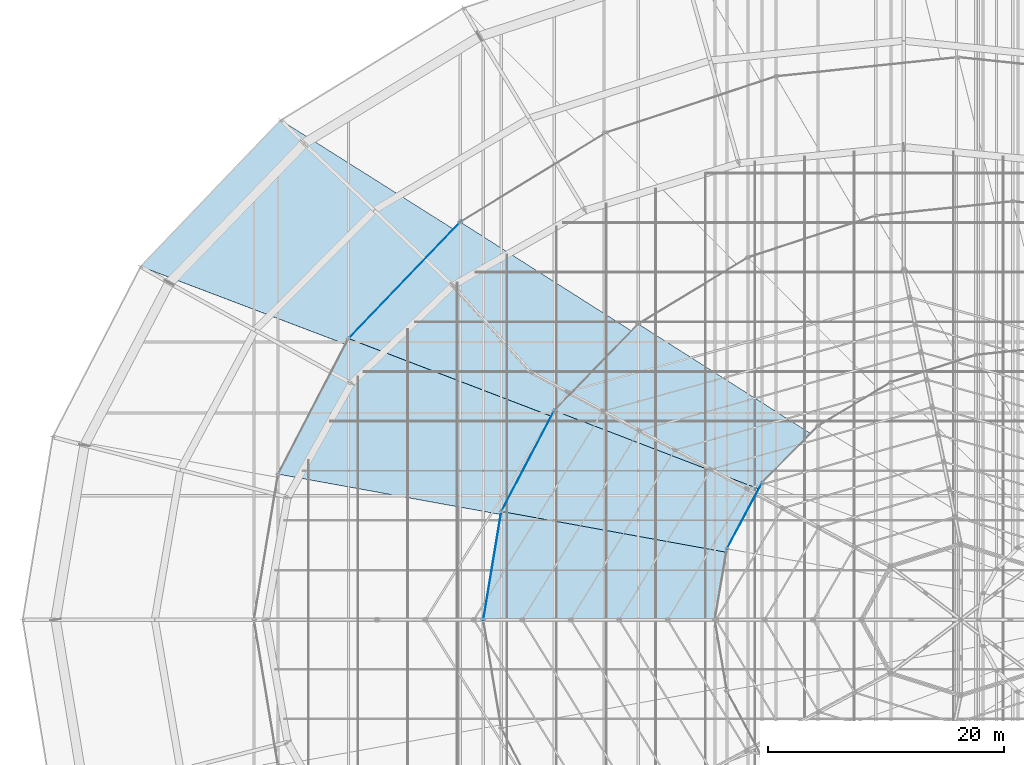
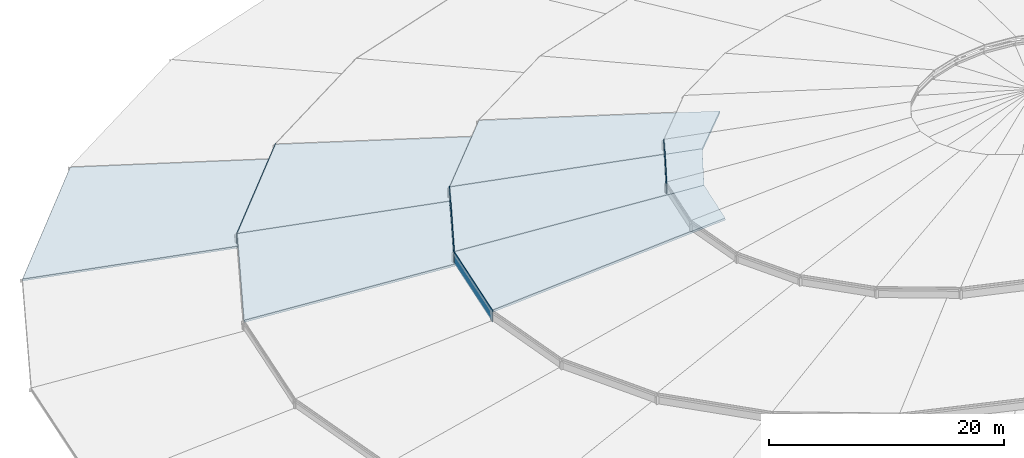
# One storey, part 147 of 184: 6 slabs, 4 plates.
"""IFC4 building model written with IfcOpenShell, lengths in metres."""

from ifc_helpers import new_model, si_unit, direction, frame, origin, origin_2d, place, context, subcontext, project, spatial, polyline, rectangle, outline, extrude, material, layer, layer_set, type_object, element, save


model = new_model("IFC4")

# Units and contexts
model_context = context("Model", 3, precision=1e-05, world=origin(), true_north=direction((0.0, 1.0)))
body_context = subcontext(model_context, "Body", "Model", "MODEL_VIEW")
ifc_project = project(units=[si_unit("LENGTHUNIT", "METRE"), si_unit("AREAUNIT", "SQUARE_METRE"), si_unit("VOLUMEUNIT", "CUBIC_METRE"), si_unit("PLANEANGLEUNIT", "RADIAN"), si_unit("MASSUNIT", "GRAM", prefix="KILO")], contexts=[model_context])

# Site, building, storey
site_placement = place(None, origin())
site = spatial("IfcSite", under=ifc_project, at=site_placement, CompositionType="ELEMENT")
building_placement = place(site_placement, origin())
building = spatial("IfcBuilding", under=site, at=building_placement, Name="Kalgoora Escarpment Arena", CompositionType="ELEMENT")
storey_placement = place(building_placement, frame((0.0, 0.0, 27.60009765625)))
storey = spatial("IfcBuildingStorey", under=building, at=storey_placement, Name="Roof Level", CompositionType="ELEMENT", Elevation=27.60009765625)

# Plates
ifc_material_1 = material(Name="Low-E double-glazed petal clerestory glass", Category="glass")
ifc_layer_1 = layer(ifc_material_1, 0.035888671875)
ifc_layer_set_1 = layer_set([ifc_layer_1], Name="PLT-PETAL-CLERESTORY")
plate_type = type_object("IfcPlateType", Name="PLT-PETAL-CLERESTORY", PredefinedType="USERDEFINED", material=ifc_layer_set_1)
plate_1_placement = place(storey_placement, frame((50.12060546875, 92.729248046875, 0.260009765625), z_axis=(0.0, 0.0, 1.0), x_axis=(-0.692772764861, -0.721155944485, 0.0)))
element("IfcPlate", 1, at=plate_1_placement, inside=storey, type_object=plate_type, Name="Petal RP2 glazed clerestory collar panel S10", ObjectType="CLERESTORY PANEL", PredefinedType="USERDEFINED", context=body_context, shape_type="SweptSolid", body=[
    extrude(rectangle(XDim=13.8759765625, YDim=0.0400390625, at=origin_2d()), origin(), (0.0, 0.0, 1.0), 1.25),
])
plate_2_placement = place(storey_placement, frame((60.564208984375, 77.43115234375, 2.7099609375), z_axis=(0.0, 0.0, 1.0), x_axis=(-0.464223811138, -0.885717930931, 0.0)))
element("IfcPlate", 2, at=plate_2_placement, inside=storey, type_object=plate_type, Name="Petal RP3 glazed clerestory collar panel S11", ObjectType="CLERESTORY PANEL", PredefinedType="USERDEFINED", context=body_context, shape_type="SweptSolid", body=[
    extrude(rectangle(XDim=9.784423828125, YDim=0.0400390625, at=origin_2d()), origin(), (0.0, 0.0, 1.0), 1.25),
])
plate_3_placement = place(storey_placement, frame((57.563232421875, 68.5810546875, 2.7099609375), z_axis=(0.0, 0.0, 1.0), x_axis=(-0.164359008451, -0.986400586142, 0.0)))
element("IfcPlate", 3, at=plate_3_placement, inside=storey, type_object=plate_type, Name="Petal RP3 glazed clerestory collar panel S12", ObjectType="CLERESTORY PANEL", PredefinedType="USERDEFINED", context=body_context, shape_type="SweptSolid", body=[
    extrude(rectangle(XDim=9.427734375, YDim=0.0400390625, at=origin_2d()), origin(), (0.0, 0.0, 1.0), 1.25),
])
plate_4_placement = place(storey_placement, frame((78.90380859375, 72.80224609375, 5.159912109375), z_axis=(0.0, 0.0, 1.0), x_axis=(-0.469625659061, -0.882865641166, 0.0)))
element("IfcPlate", 4, at=plate_4_placement, inside=storey, type_object=plate_type, Name="Petal RP4 glazed clerestory collar panel S11", ObjectType="CLERESTORY PANEL", PredefinedType="USERDEFINED", context=body_context, shape_type="SweptSolid", body=[
    extrude(rectangle(XDim=6.43310546875, YDim=0.0400390625, at=origin_2d()), origin(), (0.0, 0.0, 1.0), 1.25),
])

# Slabs
ifc_material_2 = material(Name="White acoustic composite Concrete N40 (fc' 40 MPa)", Category="concrete")
ifc_layer_2 = layer(ifc_material_2, 0.179931640625)
ifc_layer_set_2 = layer_set([ifc_layer_2], Name="SLB-PETAL-RP1")
slab_type_1 = type_object("IfcSlabType", Name="SLB-PETAL-RP1", PredefinedType="ROOF", material=ifc_layer_set_2)
slab_1_placement = place(storey_placement, frame((39.64990234375, 106.284912109375, -0.840087890625), z_axis=(-0.056876435502, 0.054440649827, 0.996895825416), x_axis=(-0.691494667934, -0.722381564141, -2.838918e-06)))
element("IfcSlab", 5, at=slab_1_placement, inside=storey, type_object=slab_type_1, Name="Shifted white roof petal RP1 sector 10", PredefinedType="ROOF", context=body_context, shape_type="SweptSolid", body=[
    extrude(outline(polyline([(0.0, 0.0), (17.144696152876826, 0.0), (8.577318633992675, 20.292669779413234), (-4.123288298679136, 20.322602724654512), (0.0, 0.0)])), origin(), (0.0, 0.0, -1.0), 0.179931640625),
])
ifc_material_3 = material(Name="White acoustic composite Concrete N40 (fc' 40 MPa)", Category="concrete")
ifc_layer_3 = layer(ifc_material_3, 0.205078125)
ifc_layer_set_3 = layer_set([ifc_layer_3], Name="SLB-PETAL-RP2")
slab_type_2 = type_object("IfcSlabType", Name="SLB-PETAL-RP2", PredefinedType="ROOF", material=ifc_layer_set_3)
slab_2_placement = place(storey_placement, frame((54.8564453125, 97.658203125, 1.449951171875), z_axis=(-0.057074003172, 0.054846949306, 0.996862262458), x_axis=(-0.692821848259, -0.721108789644, 8.527622e-06)))
element("IfcSlab", 6, at=slab_2_placement, inside=storey, type_object=slab_type_2, Name="Shifted white roof petal RP2 sector 10", PredefinedType="ROOF", context=body_context, shape_type="SweptSolid", body=[
    extrude(outline(polyline([(0.0, 0.0), (13.670819194398184, 8.881784197001252e-16), (5.186544685357129, 20.15230750954456), (-4.062581785736611, 20.2133785716314), (0.0, 0.0)])), origin(), (0.0, 0.0, -1.0), 0.205078125),
])
slab_3_placement = place(storey_placement, frame((45.385009765625, 87.800048828125, 1.449951171875), z_axis=(-0.065363850562, 0.033904579462, 0.997285338572), x_axis=(-0.460402271087, -0.8877103969, 3.792741e-06)))
element("IfcSlab", 7, at=slab_3_placement, inside=storey, type_object=slab_type_2, Name="Shifted white roof petal RP2 sector 11", PredefinedType="ROOF", context=body_context, shape_type="SweptSolid", body=[
    extrude(outline(polyline([(0.0, 0.0), (12.93239662614186, -8.881784197001252e-16), (6.26693701946398, 21.680387028338004), (-2.4516724398937995, 21.727920633058062), (0.0, 0.0)])), origin(), (0.0, 0.0, -1.0), 0.205078125),
])
ifc_material_4 = material(Name="White acoustic composite Concrete N40 (fc' 40 MPa)", Category="concrete")
ifc_layer_4 = layer(ifc_material_4, 0.215087890625)
ifc_layer_set_4 = layer_set([ifc_layer_4], Name="SLB-PETAL-RP3")
slab_type_3 = type_object("IfcSlabType", Name="SLB-PETAL-RP3", PredefinedType="ROOF", material=ifc_layer_set_4)
slab_4_placement = place(storey_placement, frame((69.921630859375, 89.031494140625, 3.89990234375), z_axis=(-0.056852481233, 0.055198938086, 0.996855492342), x_axis=(-0.696662347288, -0.717399173276, -7.333537e-06)))
element("IfcSlab", 8, at=slab_4_placement, inside=storey, type_object=slab_type_3, Name="Shifted white roof petal RP3 sector 10", PredefinedType="ROOF", context=body_context, shape_type="SweptSolid", body=[
    extrude(outline(polyline([(0.0, 0.0), (10.219620250267901, 1.7763568394002505e-15), (1.6281754148149603, 20.106696895763786), (-4.170140400422916, 20.191482222282495), (0.0, 0.0)])), origin(), (0.0, 0.0, -1.0), 0.215087890625),
])
slab_5_placement = place(storey_placement, frame((62.802001953125, 81.699951171875, 3.89990234375), z_axis=(-0.065256824905, 0.034205475293, 0.997282072567), x_axis=(-0.464282216175, -0.885687317138, -2.233714e-06)))
element("IfcSlab", 9, at=slab_5_placement, inside=storey, type_object=slab_type_3, Name="Shifted white roof petal RP3 sector 11", PredefinedType="ROOF", context=body_context, shape_type="SweptSolid", body=[
    extrude(outline(polyline([(0.0, 0.0), (9.639793152964813, -4.440892098500626e-16), (2.8796651078451254, 21.651216515979087), (-2.546475352127487, 21.71703196364651), (0.0, 0.0)])), origin(), (0.0, 0.0, -1.0), 0.215087890625),
])
slab_6_placement = place(storey_placement, frame((58.326416015625, 73.162109375, 3.89990234375), z_axis=(-0.06958897825, 0.011580712507, 0.997508526883), x_axis=(-0.164329930837, -0.986405430682, -1.2304932e-05)))
element("IfcSlab", 10, at=slab_6_placement, inside=storey, type_object=slab_type_3, Name="Shifted white roof petal RP3 sector 12", PredefinedType="ROOF", context=body_context, shape_type="SweptSolid", body=[
    extrude(outline(polyline([(0.0, 0.0), (9.288382258359707, -2.220446049250313e-16), (5.52357832087554, 22.654897706704105), (0.32426138498522306, 22.680056535678677), (0.0, 0.0)])), origin(), (0.0, 0.0, -1.0), 0.215087890625),
])

save(model, "model.ifc")
